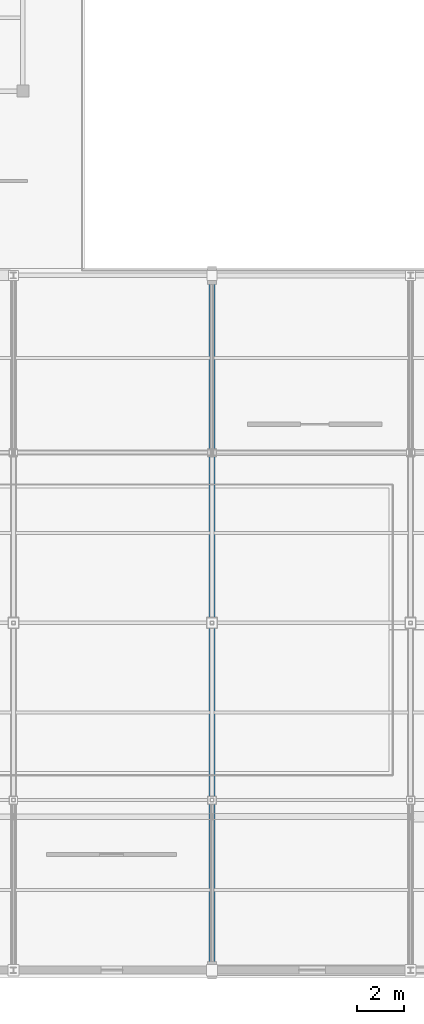
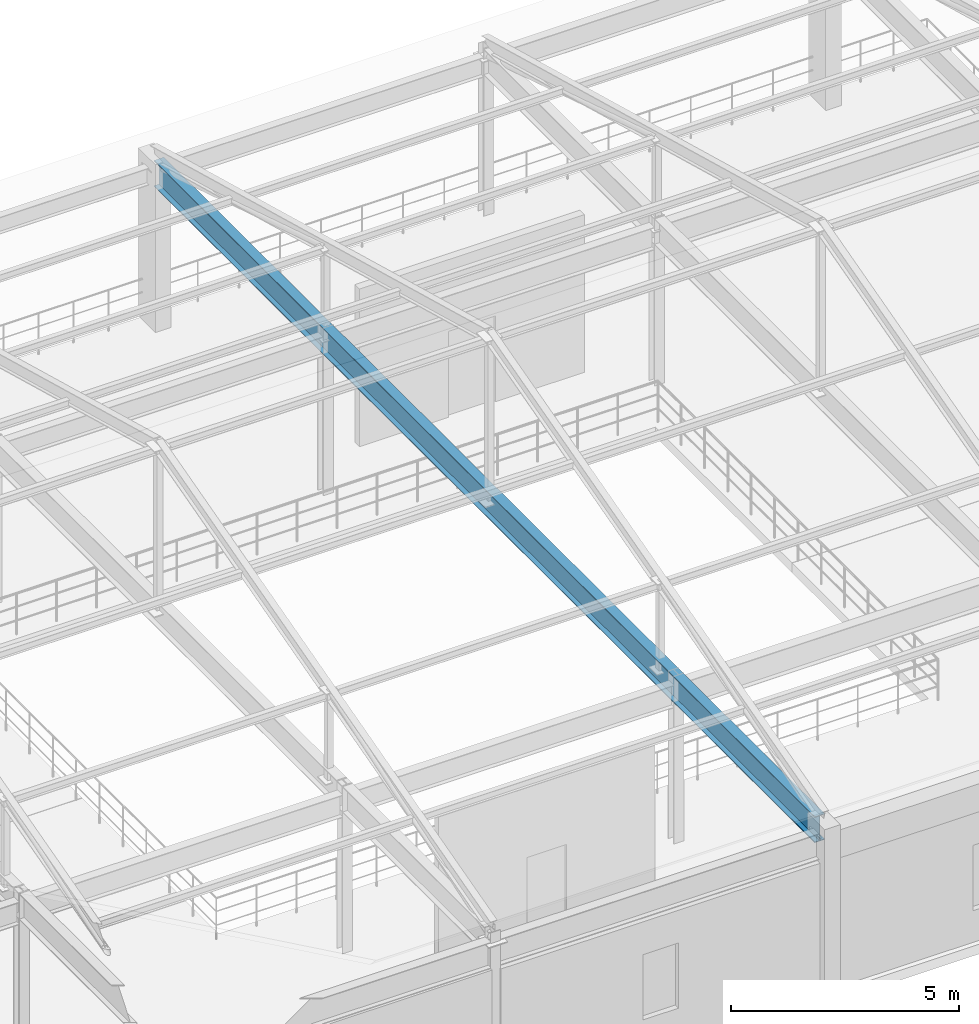
# One storey, part 28 of 112: 1 beam.
"""IFC4 building model written with IfcOpenShell, lengths in metres."""

from ifc_helpers import new_model, si_unit, direction, frame, origin, origin_2d, place, context, subcontext, project, spatial, i_section, extrude, material, material_profile, profile_set, type_object, element, save


model = new_model("IFC4")

# Units and contexts
model_context = context("Model", 3, precision=1e-05, world=origin(), true_north=direction((0.0, 1.0)))
body_context = subcontext(model_context, "Body", "Model", "MODEL_VIEW")
ifc_project = project(units=[si_unit("LENGTHUNIT", "METRE"), si_unit("AREAUNIT", "SQUARE_METRE"), si_unit("VOLUMEUNIT", "CUBIC_METRE"), si_unit("PLANEANGLEUNIT", "RADIAN"), si_unit("MASSUNIT", "GRAM", prefix="KILO")], contexts=[model_context])

# Site, building, storey
site_placement = place(None, origin())
site = spatial("IfcSite", under=ifc_project, at=site_placement, CompositionType="ELEMENT")
building_placement = place(site_placement, origin())
building = spatial("IfcBuilding", under=site, at=building_placement, Name="Cinderbank Siding Concert Hall", CompositionType="ELEMENT")
storey_placement = place(building_placement, frame((0.0, 0.0, 10.199951171875)))
storey = spatial("IfcBuildingStorey", under=building, at=storey_placement, Name="L03", CompositionType="ELEMENT", Elevation=10.199951171875)

# Beam
ifc_material = material(Name="Structural steel welded plate section AS/NZS 3679.2 / AS/NZS 3678 Grade 350 (340 MPa)", Category="steel")
ifc_material_profile = material_profile(ifc_material, i_section(OverallWidth=0.25, OverallDepth=0.699951171875, WebThickness=0.011962890625, FlangeThickness=0.02001953125, at=origin_2d()), Name="700WB150", Category="LoadBearing")
ifc_profile_set = profile_set([ifc_material_profile], Name="Structural steel welded plate section AS/NZS 3679.2 / AS/NZS 3678 Grade 350 (340 MPa)")
beam_type = type_object("IfcBeamType", Name="BM-WB700H 700WB150", PredefinedType="BEAM", material=ifc_profile_set)
beam_placement = place(storey_placement, frame((29.0, 6.2919921875, 4.130126953125), z_axis=(0.0, 1.0, 0.0), x_axis=(-1.0, 0.0, 0.0)))
element("IfcBeam", 1, at=beam_placement, inside=storey, type_object=beam_type, Name="L03 Beam BM-WB700H #19", PredefinedType="BEAM", context=body_context, shape_type="SweptSolid", body=[
    extrude(i_section(OverallWidth=0.25, OverallDepth=0.699951171875, WebThickness=0.011962890625, FlangeThickness=0.02001953125, at=origin_2d()), origin(), (0.0, 0.0, 1.0), 29.01611328125),
])

save(model, "model.ifc")
